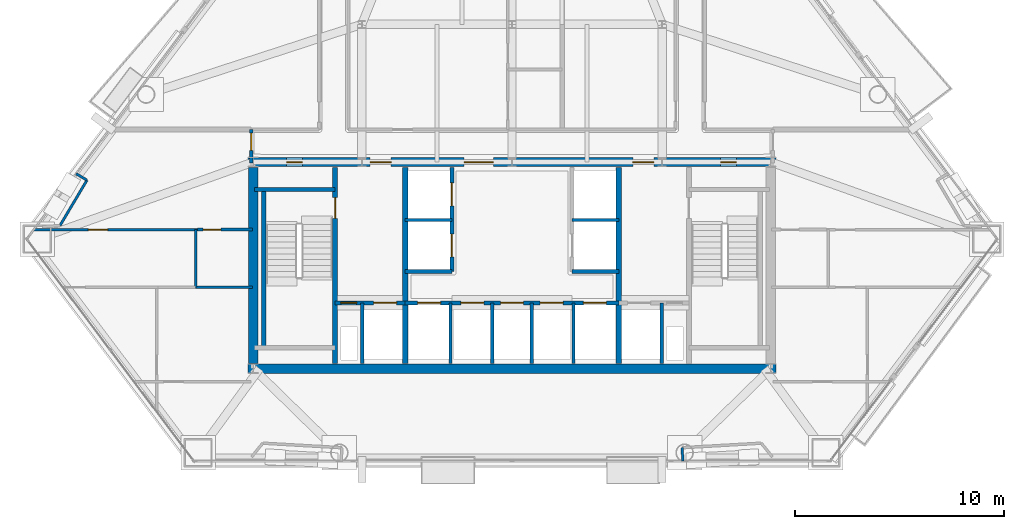
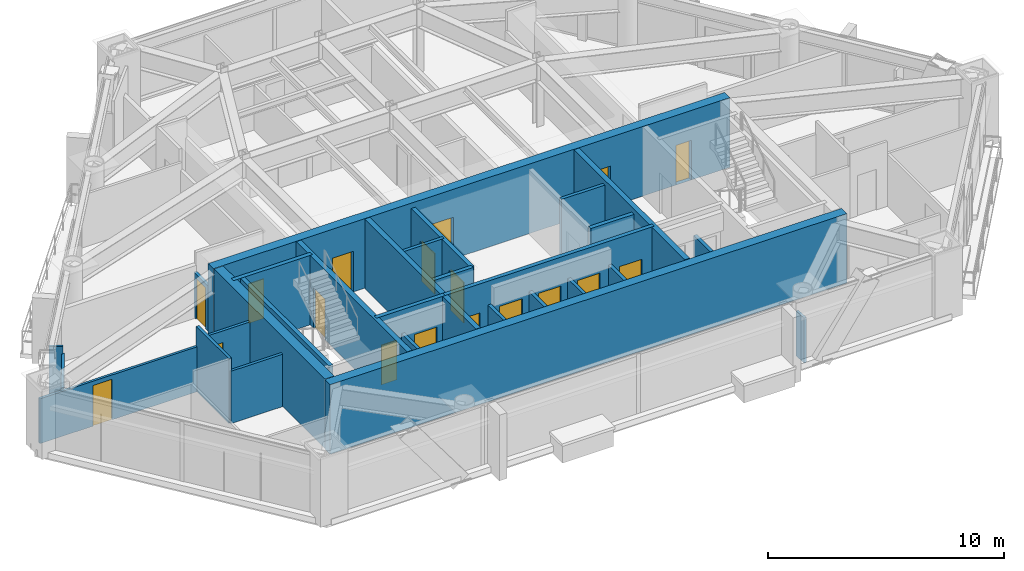
# One storey, part 6 of 10: 29 walls, 18 doors, 18 openings.
"""IFC4 building model written with IfcOpenShell, lengths in metres."""

from ifc_helpers import new_model, si_unit, direction, frame, frame_2d, origin, place, context, subcontext, project, spatial, rectangle, extrude, material, layer, layer_set, type_object, element, fill, save


model = new_model("IFC4")

# Units and contexts
model_context = context("Model", 3, precision=1e-05, world=origin(), true_north=direction((0.0, 1.0)))
body_context = subcontext(model_context, "Body", "Model", "MODEL_VIEW")
ifc_project = project(units=[si_unit("LENGTHUNIT", "METRE"), si_unit("AREAUNIT", "SQUARE_METRE"), si_unit("VOLUMEUNIT", "CUBIC_METRE"), si_unit("PLANEANGLEUNIT", "RADIAN"), si_unit("MASSUNIT", "GRAM", prefix="KILO")], contexts=[model_context])

# Site, building, storey
site_placement = place(None, origin())
site = spatial("IfcSite", under=ifc_project, at=site_placement, CompositionType="ELEMENT")
building_placement = place(site_placement, origin())
building = spatial("IfcBuilding", under=site, at=building_placement, Name="Talgorran Terracotta Tower", CompositionType="ELEMENT")
storey_placement = place(building_placement, frame((0.0, 0.0, 49.5)))
storey = spatial("IfcBuildingStorey", under=building, at=storey_placement, Name="L12", CompositionType="ELEMENT", Elevation=49.5)

# Walls
ifc_material_1 = material(Name="Concrete C50/60", Category="concrete")
ifc_layer_1 = layer(ifc_material_1, 0.199951171875, Name="WT_CORE_200")
ifc_layer_set_1 = layer_set([ifc_layer_1], Name="Concrete C50/60")
wall_type_1 = type_object("IfcWallType", Name="WT_CORE_200", PredefinedType="SOLIDWALL", material=ifc_layer_set_1)
wall_1_placement = place(storey_placement, frame((-12.35009765625, -5.52001953125, 0.0), z_axis=(0.0, 0.0, 1.0), x_axis=(1.0, 0.0, 0.0)))
element("IfcWall", 1, at=wall_1_placement, inside=storey, type_object=wall_type_1, Name="WL-L12-CW-ST1-N", PredefinedType="SOLIDWALL", context=body_context, shape_type="SweptSolid", body=[
    extrude(rectangle(XDim=3.8701171875, YDim=0.199951171875, at=frame_2d((1.93505859375, 0.0))), origin(), (0.0, 0.0, 1.0), 3.60009765625),
])
wall_2_placement = place(storey_placement, frame((-11.89990234375, -13.10009765625, 0.0), z_axis=(0.0, 0.0, 1.0), x_axis=(0.0, 1.0, 0.0)))
element("IfcWall", 2, at=wall_2_placement, inside=storey, type_object=wall_type_1, Name="WL-L12-CW-ST1-W", PredefinedType="SOLIDWALL", context=body_context, shape_type="SweptSolid", body=[
    extrude(rectangle(XDim=7.580078125, YDim=0.199951171875, at=frame_2d((3.7900390625, 0.0))), origin(), (0.0, 0.0, 1.0), 3.60009765625),
])

# Wall, openings, doors
wall_3_placement = place(storey_placement, frame((-8.47998046875, -10.949951171875, 0.0), z_axis=(0.0, 0.0, 1.0), x_axis=(1.0, 0.0, 0.0)))
wall_3 = element("IfcWall", 3, at=wall_3_placement, inside=storey, type_object=wall_type_1, Name="WL-L12-CW-H-SBW", PredefinedType="SOLIDWALL", context=body_context, shape_type="SweptSolid", body=[
    extrude(rectangle(XDim=3.35986328125, YDim=0.199951171875, at=frame_2d((1.679931640625, 0.0))), origin(), (0.0, 0.0, 1.0), 3.60009765625),
])
opening_1_placement = place(wall_3_placement, frame((0.280029296875, 0.0, 0.0)))
opening_1 = element("IfcOpeningElement", 4, at=opening_1_placement, cuts=wall_3, Name="Opening DR-RSW", PredefinedType="OPENING", context=body_context, shape_type="SweptSolid", body=[
    extrude(rectangle(XDim=0.756, YDim=2.054048828125, at=frame_2d((0.375, 1.027099609375))), frame((0.0, 0.10986328125, 0.0), z_axis=(0.0, -1.0, 0.0), x_axis=(1.0, 0.0, 0.0)), (0.0, 0.0, 1.0), 0.219970703125),
])
opening_2_placement = place(wall_3_placement, frame((1.85009765625, 0.0, 0.0)))
opening_2 = element("IfcOpeningElement", 5, at=opening_2_placement, cuts=wall_3, Name="Opening LD-FFL1", PredefinedType="OPENING", context=body_context, shape_type="SweptSolid", body=[
    extrude(rectangle(XDim=1.10609765625, YDim=2.10409765625, at=frame_2d((0.550048828125, 1.052001953125))), frame((0.0, 0.10986328125, 0.0), z_axis=(0.0, -1.0, 0.0), x_axis=(1.0, 0.0, 0.0)), (0.0, 0.0, 1.0), 0.219970703125),
])
ifc_material_2 = material(Name="Brushed Stainless Steel Grade 304", Category="steel")
door_type_1 = type_object("IfcDoorType", Name="DT_LIFT_LD1100", OperationType="DOUBLE_DOOR_SLIDING", PredefinedType="DOOR", material=ifc_material_2)
door_1_placement = place(opening_2_placement, origin())
door_1 = element("IfcDoor", 6, at=door_1_placement, inside=storey, type_object=door_type_1, Name="L12 Lift Landing Door LD-FFL1", OperationType="DOUBLE_DOOR_SLIDING", OverallHeight=2.10009765625, OverallWidth=1.10009765625, PredefinedType="DOOR", context=body_context, shape_type="SweptSolid", body=[
    extrude(rectangle(XDim=1.10009765625, YDim=2.10009765625, at=frame_2d((0.550048828125, 1.050048828125))), frame((0.0, 0.02490234375, 0.0), z_axis=(0.0, -1.0, 0.0), x_axis=(1.0, 0.0, 0.0)), (0.0, 0.0, 1.0), 0.050048828125),
])
fill(opening_2, door_1)
ifc_material_3 = material(Name="Fire-Rated Pressed Steel", Category="steel")
door_type_2 = type_object("IfcDoorType", Name="DT_RISER_750", OperationType="NOTDEFINED", PredefinedType="DOOR", material=ifc_material_3)
door_2_placement = place(opening_1_placement, origin())
door_2 = element("IfcDoor", 7, at=door_2_placement, inside=storey, type_object=door_type_2, Name="DR-RSW", OperationType="SINGLE_SWING_LEFT", OverallHeight=2.050048828125, OverallWidth=0.75, PredefinedType="DOOR", context=body_context, shape_type="SweptSolid", body=[
    extrude(rectangle(XDim=0.75, YDim=2.050048828125, at=frame_2d((0.375, 1.02490234375))), frame((0.0, 0.02490234375, 0.0), z_axis=(0.0, -1.0, 0.0), x_axis=(1.0, 0.0, 0.0)), (0.0, 0.0, 1.0), 0.050048828125),
])
fill(opening_1, door_2)

wall_4_placement = place(storey_placement, frame((-5.1201171875, -10.949951171875, 0.0), z_axis=(0.0, 0.0, 1.0), x_axis=(1.0, 0.0, 0.0)))
wall_4 = element("IfcWall", 8, at=wall_4_placement, inside=storey, type_object=wall_type_1, Name="WL-L12-CW-H-SBC", PredefinedType="SOLIDWALL", context=body_context, shape_type="SweptSolid", body=[
    extrude(rectangle(XDim=10.240234375, YDim=0.199951171875, at=frame_2d((5.1201171875, 0.0))), origin(), (0.0, 0.0, 1.0), 3.60009765625),
])
opening_3_placement = place(wall_4_placement, frame((0.60009765625, 0.0, 0.0)))
opening_3 = element("IfcOpeningElement", 9, at=opening_3_placement, cuts=wall_4, Name="Opening LD-OB1", PredefinedType="OPENING", context=body_context, shape_type="SweptSolid", body=[
    extrude(rectangle(XDim=1.10609765625, YDim=2.10409765625, at=frame_2d((0.550048828125, 1.052001953125))), frame((0.0, 0.10986328125, 0.0), z_axis=(0.0, -1.0, 0.0), x_axis=(1.0, 0.0, 0.0)), (0.0, 0.0, 1.0), 0.219970703125),
])
opening_4_placement = place(wall_4_placement, frame((2.669921875, 0.0, 0.0)))
opening_4 = element("IfcOpeningElement", 10, at=opening_4_placement, cuts=wall_4, Name="Opening LD-PLH1", PredefinedType="OPENING", context=body_context, shape_type="SweptSolid", body=[
    extrude(rectangle(XDim=1.10609765625, YDim=2.10409765625, at=frame_2d((0.550048828125, 1.052001953125))), frame((0.0, 0.10986328125, 0.0), z_axis=(0.0, -1.0, 0.0), x_axis=(1.0, 0.0, 0.0)), (0.0, 0.0, 1.0), 0.219970703125),
])
opening_5_placement = place(wall_4_placement, frame((4.570068359375, 0.0, 0.0)))
opening_5 = element("IfcOpeningElement", 11, at=opening_5_placement, cuts=wall_4, Name="Opening LD-PLH2", PredefinedType="OPENING", context=body_context, shape_type="SweptSolid", body=[
    extrude(rectangle(XDim=1.10609765625, YDim=2.10409765625, at=frame_2d((0.550048828125, 1.052001953125))), frame((0.0, 0.10986328125, 0.0), z_axis=(0.0, -1.0, 0.0), x_axis=(1.0, 0.0, 0.0)), (0.0, 0.0, 1.0), 0.219970703125),
])
opening_6_placement = place(wall_4_placement, frame((6.469970703125, 0.0, 0.0)))
opening_6 = element("IfcOpeningElement", 12, at=opening_6_placement, cuts=wall_4, Name="Opening LD-PLH3", PredefinedType="OPENING", context=body_context, shape_type="SweptSolid", body=[
    extrude(rectangle(XDim=1.10609765625, YDim=2.10409765625, at=frame_2d((0.550048828125, 1.052001953125))), frame((0.0, 0.10986328125, 0.0), z_axis=(0.0, -1.0, 0.0), x_axis=(1.0, 0.0, 0.0)), (0.0, 0.0, 1.0), 0.219970703125),
])
opening_7_placement = place(wall_4_placement, frame((8.5400390625, 0.0, 0.0)))
opening_7 = element("IfcOpeningElement", 13, at=opening_7_placement, cuts=wall_4, Name="Opening LD-SVL1", PredefinedType="OPENING", context=body_context, shape_type="SweptSolid", body=[
    extrude(rectangle(XDim=1.10609765625, YDim=2.10409765625, at=frame_2d((0.550048828125, 1.052001953125))), frame((0.0, 0.10986328125, 0.0), z_axis=(0.0, -1.0, 0.0), x_axis=(1.0, 0.0, 0.0)), (0.0, 0.0, 1.0), 0.219970703125),
])
door_3_placement = place(opening_3_placement, origin())
door_3 = element("IfcDoor", 14, at=door_3_placement, inside=storey, type_object=door_type_1, Name="L12 Lift Landing Door LD-OB1", OperationType="DOUBLE_DOOR_SLIDING", OverallHeight=2.10009765625, OverallWidth=1.10009765625, PredefinedType="DOOR", context=body_context, shape_type="SweptSolid", body=[
    extrude(rectangle(XDim=1.10009765625, YDim=2.10009765625, at=frame_2d((0.550048828125, 1.050048828125))), frame((0.0, 0.02490234375, 0.0), z_axis=(0.0, -1.0, 0.0), x_axis=(1.0, 0.0, 0.0)), (0.0, 0.0, 1.0), 0.050048828125),
])
fill(opening_3, door_3)
door_4_placement = place(opening_4_placement, origin())
door_4 = element("IfcDoor", 15, at=door_4_placement, inside=storey, type_object=door_type_1, Name="L12 Lift Landing Door LD-PLH1", OperationType="DOUBLE_DOOR_SLIDING", OverallHeight=2.10009765625, OverallWidth=1.10009765625, PredefinedType="DOOR", context=body_context, shape_type="SweptSolid", body=[
    extrude(rectangle(XDim=1.10009765625, YDim=2.10009765625, at=frame_2d((0.550048828125, 1.050048828125))), frame((0.0, 0.02490234375, 0.0), z_axis=(0.0, -1.0, 0.0), x_axis=(1.0, 0.0, 0.0)), (0.0, 0.0, 1.0), 0.050048828125),
])
fill(opening_4, door_4)
door_5_placement = place(opening_5_placement, origin())
door_5 = element("IfcDoor", 16, at=door_5_placement, inside=storey, type_object=door_type_1, Name="L12 Lift Landing Door LD-PLH2", OperationType="DOUBLE_DOOR_SLIDING", OverallHeight=2.10009765625, OverallWidth=1.10009765625, PredefinedType="DOOR", context=body_context, shape_type="SweptSolid", body=[
    extrude(rectangle(XDim=1.10009765625, YDim=2.10009765625, at=frame_2d((0.550048828125, 1.050048828125))), frame((0.0, 0.02490234375, 0.0), z_axis=(0.0, -1.0, 0.0), x_axis=(1.0, 0.0, 0.0)), (0.0, 0.0, 1.0), 0.050048828125),
])
fill(opening_5, door_5)
door_6_placement = place(opening_6_placement, origin())
door_6 = element("IfcDoor", 17, at=door_6_placement, inside=storey, type_object=door_type_1, Name="L12 Lift Landing Door LD-PLH3", OperationType="DOUBLE_DOOR_SLIDING", OverallHeight=2.10009765625, OverallWidth=1.10009765625, PredefinedType="DOOR", context=body_context, shape_type="SweptSolid", body=[
    extrude(rectangle(XDim=1.10009765625, YDim=2.10009765625, at=frame_2d((0.550048828125, 1.050048828125))), frame((0.0, 0.02490234375, 0.0), z_axis=(0.0, -1.0, 0.0), x_axis=(1.0, 0.0, 0.0)), (0.0, 0.0, 1.0), 0.050048828125),
])
fill(opening_6, door_6)
door_7_placement = place(opening_7_placement, origin())
door_7 = element("IfcDoor", 18, at=door_7_placement, inside=storey, type_object=door_type_1, Name="L12 Lift Landing Door LD-SVL1", OperationType="DOUBLE_DOOR_SLIDING", OverallHeight=2.10009765625, OverallWidth=1.10009765625, PredefinedType="DOOR", context=body_context, shape_type="SweptSolid", body=[
    extrude(rectangle(XDim=1.10009765625, YDim=2.10009765625, at=frame_2d((0.550048828125, 1.050048828125))), frame((0.0, 0.02490234375, 0.0), z_axis=(0.0, -1.0, 0.0), x_axis=(1.0, 0.0, 0.0)), (0.0, 0.0, 1.0), 0.050048828125),
])
fill(opening_7, door_7)

wall_5_placement = place(storey_placement, frame((-2.8798828125, -9.449951171875, 0.0), z_axis=(0.0, 0.0, 1.0), x_axis=(0.0, 1.0, 0.0)))
wall_5 = element("IfcWall", 19, at=wall_5_placement, inside=storey, type_object=wall_type_1, Name="WL-L12-CW-V-W3", PredefinedType="SOLIDWALL", context=body_context, shape_type="SweptSolid", body=[
    extrude(rectangle(XDim=5.0, YDim=0.199951171875, at=frame_2d((2.5, 0.0))), origin(), (0.0, 0.0, 1.0), 3.35009765625),
])
opening_8_placement = place(wall_5_placement, frame((0.699951171875, 0.0, 0.0)))
opening_8 = element("IfcOpeningElement", 20, at=opening_8_placement, cuts=wall_5, Name="Opening LD-PLL1", PredefinedType="OPENING", context=body_context, shape_type="SweptSolid", body=[
    extrude(rectangle(XDim=1.10609765625, YDim=2.10409765625, at=frame_2d((0.550048828125, 1.052001953125))), frame((0.0, 0.10986328125, 0.0), z_axis=(0.0, -1.0, 0.0), x_axis=(1.0, 0.0, 0.0)), (0.0, 0.0, 1.0), 0.219970703125),
])
opening_9_placement = place(wall_5_placement, frame((3.14990234375, 0.0, 0.0)))
opening_9 = element("IfcOpeningElement", 21, at=opening_9_placement, cuts=wall_5, Name="Opening LD-PLL2", PredefinedType="OPENING", context=body_context, shape_type="SweptSolid", body=[
    extrude(rectangle(XDim=1.10609765625, YDim=2.10409765625, at=frame_2d((0.550048828125, 1.052001953125))), frame((0.0, 0.10986328125, 0.0), z_axis=(0.0, -1.0, 0.0), x_axis=(1.0, 0.0, 0.0)), (0.0, 0.0, 1.0), 0.219970703125),
])
door_8_placement = place(opening_8_placement, origin())
door_8 = element("IfcDoor", 22, at=door_8_placement, inside=storey, type_object=door_type_1, Name="L12 Lift Landing Door LD-PLL1", OperationType="DOUBLE_DOOR_SLIDING", OverallHeight=2.10009765625, OverallWidth=1.10009765625, PredefinedType="DOOR", context=body_context, shape_type="SweptSolid", body=[
    extrude(rectangle(XDim=1.10009765625, YDim=2.10009765625, at=frame_2d((0.550048828125, 1.050048828125))), frame((0.0, 0.02490234375, 0.0), z_axis=(0.0, -1.0, 0.0), x_axis=(1.0, 0.0, 0.0)), (0.0, 0.0, 1.0), 0.050048828125),
])
fill(opening_8, door_8)
door_9_placement = place(opening_9_placement, origin())
door_9 = element("IfcDoor", 23, at=door_9_placement, inside=storey, type_object=door_type_1, Name="L12 Lift Landing Door LD-PLL2", OperationType="DOUBLE_DOOR_SLIDING", OverallHeight=2.10009765625, OverallWidth=1.10009765625, PredefinedType="DOOR", context=body_context, shape_type="SweptSolid", body=[
    extrude(rectangle(XDim=1.10009765625, YDim=2.10009765625, at=frame_2d((0.550048828125, 1.050048828125))), frame((0.0, 0.02490234375, 0.0), z_axis=(0.0, -1.0, 0.0), x_axis=(1.0, 0.0, 0.0)), (0.0, 0.0, 1.0), 0.050048828125),
])
fill(opening_9, door_9)

# Walls
for number, where, z_axis, x_axis, name in (
    (24, (-5.1201171875, -9.449951171875, 0.0), (0.0, 0.0, 1.0), (1.0, 0.0, 0.0), "WL-L12-CW-H-W4"),
    (25, (2.8798828125, -9.449951171875, 0.0), (0.0, 0.0, 1.0), (1.0, 0.0, 0.0), "WL-L12-CW-H-E4"),
):
    element("IfcWall", number, at=place(storey_placement, frame(where, z_axis=z_axis, x_axis=x_axis)), inside=storey, type_object=wall_type_1, Name=name, PredefinedType="SOLIDWALL", context=body_context, shape_type="SweptSolid", body=[
        extrude(rectangle(XDim=2.240234375, YDim=0.199951171875, at=frame_2d((1.1201171875, 0.0))), origin(), (0.0, 0.0, 1.0), 3.35009765625),
    ])

# Wall, opening, door
ifc_layer_2 = layer(ifc_material_1, 0.25, Name="WT_CORE_250")
ifc_layer_set_2 = layer_set([ifc_layer_2], Name="Concrete C50/60")
wall_type_2 = type_object("IfcWallType", Name="WT_CORE_250", PredefinedType="SHEAR", material=ifc_layer_set_2)
wall_6_placement = place(storey_placement, frame((-8.47998046875, -13.85009765625, 0.0), z_axis=(0.0, 0.0, 1.0), x_axis=(0.0, 1.0, 0.0)))
wall_6 = element("IfcWall", 26, at=wall_6_placement, inside=storey, type_object=wall_type_2, Name="WL-L12-CW-V-W1", PredefinedType="SHEAR", context=body_context, shape_type="SweptSolid", body=[
    extrude(rectangle(XDim=9.400146484375, YDim=0.25, at=frame_2d((4.7001953125, 0.0))), origin(), (0.0, 0.0, 1.0), 3.60009765625),
])
opening_10_placement = place(wall_6_placement, frame((6.949951171875, 0.0, 0.0)))
opening_10 = element("IfcOpeningElement", 27, at=opening_10_placement, cuts=wall_6, Name="Opening DR-ST01", PredefinedType="OPENING", context=body_context, shape_type="SweptSolid", body=[
    extrude(rectangle(XDim=1.006, YDim=2.10409765625, at=frame_2d((0.5, 1.052001953125))), frame((0.0, 0.135009765625, 0.0), z_axis=(0.0, -1.0, 0.0), x_axis=(1.0, 0.0, 0.0)), (0.0, 0.0, 1.0), 0.27001953125),
])
door_type_3 = type_object("IfcDoorType", Name="DT_FIRE_1000", OperationType="NOTDEFINED", PredefinedType="DOOR", material=ifc_material_3)
door_10_placement = place(opening_10_placement, origin())
door_10 = element("IfcDoor", 28, at=door_10_placement, inside=storey, type_object=door_type_3, Name="DR-ST01", OperationType="SINGLE_SWING_LEFT", OverallHeight=2.10009765625, OverallWidth=1.0, PredefinedType="DOOR", context=body_context, shape_type="SweptSolid", body=[
    extrude(rectangle(XDim=1.0, YDim=2.10009765625, at=frame_2d((0.5, 1.050048828125))), frame((0.0, 0.02490234375, 0.0), z_axis=(0.0, -1.0, 0.0), x_axis=(1.0, 0.0, 0.0)), (0.0, 0.0, 1.0), 0.050048828125),
])
fill(opening_10, door_10)

# Walls
for number, where, z_axis, x_axis, name in (
    (29, (-5.1201171875, -13.85009765625, 0.0), (0.0, 0.0, 1.0), (0.0, 1.0, 0.0), "WL-L12-CW-V-W2"),
    (30, (5.1201171875, -13.85009765625, 0.0), (0.0, 0.0, 1.0), (0.0, 1.0, 0.0), "WL-L12-CW-V-E2"),
):
    element("IfcWall", number, at=place(storey_placement, frame(where, z_axis=z_axis, x_axis=x_axis)), inside=storey, type_object=wall_type_2, Name=name, PredefinedType="SHEAR", context=body_context, shape_type="SweptSolid", body=[
        extrude(rectangle(XDim=9.400146484375, YDim=0.25, at=frame_2d((4.7001953125, 0.0))), origin(), (0.0, 0.0, 1.0), 3.60009765625),
    ])
ifc_material_4 = material(Name="Concrete C65/80", Category="concrete")
ifc_layer_3 = layer(ifc_material_4, 0.449951171875, Name="WT_CORE_EXT")
ifc_layer_set_3 = layer_set([ifc_layer_3], Name="Concrete C65/80")
wall_type_3 = type_object("IfcWallType", Name="WT_CORE_EXT", PredefinedType="SHEAR", material=ifc_layer_set_3)
wall_7_placement = place(storey_placement, frame((-12.64990234375, -14.10009765625, 0.0), z_axis=(0.0, 0.0, 1.0), x_axis=(1.0, 0.0, 0.0)))
element("IfcWall", 31, at=wall_7_placement, inside=storey, type_object=wall_type_3, Name="WL-L12-CW-OUT-S", PredefinedType="SHEAR", context=body_context, shape_type="SweptSolid", body=[
    extrude(rectangle(XDim=25.2998046875, YDim=0.449951171875, at=frame_2d((12.64990234375, 0.0))), origin(), (0.0, 0.0, 1.0), 3.60009765625),
])

# Wall, openings, doors
wall_8_placement = place(storey_placement, frame((-12.64990234375, -4.199951171875, 0.0), z_axis=(0.0, 0.0, 1.0), x_axis=(1.0, 0.0, 0.0)))
wall_8 = element("IfcWall", 32, at=wall_8_placement, inside=storey, type_object=wall_type_3, Name="WL-L12-CW-OUT-N", PredefinedType="SHEAR", context=body_context, shape_type="SweptSolid", body=[
    extrude(rectangle(XDim=25.2998046875, YDim=0.449951171875, at=frame_2d((12.64990234375, 0.0))), origin(), (0.0, 0.0, 1.0), 3.60009765625),
])
opening_11_placement = place(wall_8_placement, frame((1.85009765625, 0.0, 0.0)))
opening_11 = element("IfcOpeningElement", 33, at=opening_11_placement, cuts=wall_8, Name="Opening DR-CSN1", PredefinedType="OPENING", context=body_context, shape_type="SweptSolid", body=[
    extrude(rectangle(XDim=0.756, YDim=2.054048828125, at=frame_2d((0.375, 1.027099609375))), frame((0.0, 0.23486328125, 0.0), z_axis=(0.0, -1.0, 0.0), x_axis=(1.0, 0.0, 0.0)), (0.0, 0.0, 1.0), 0.469970703125),
])
opening_12_placement = place(wall_8_placement, frame((22.64990234375, 0.0, 0.0)))
opening_12 = element("IfcOpeningElement", 34, at=opening_12_placement, cuts=wall_8, Name="Opening DR-CSN2", PredefinedType="OPENING", context=body_context, shape_type="SweptSolid", body=[
    extrude(rectangle(XDim=0.756, YDim=2.054048828125, at=frame_2d((0.375, 1.027099609375))), frame((0.0, 0.23486328125, 0.0), z_axis=(0.0, -1.0, 0.0), x_axis=(1.0, 0.0, 0.0)), (0.0, 0.0, 1.0), 0.469970703125),
])
opening_13_placement = place(wall_8_placement, frame((5.85009765625, 0.0, 0.0)))
opening_13 = element("IfcOpeningElement", 35, at=opening_13_placement, cuts=wall_8, Name="Opening DR-FFLW-N", PredefinedType="OPENING", context=body_context, shape_type="SweptSolid", body=[
    extrude(rectangle(XDim=1.006, YDim=2.10409765625, at=frame_2d((0.5, 1.052001953125))), frame((0.0, 0.23486328125, 0.0), z_axis=(0.0, -1.0, 0.0), x_axis=(1.0, 0.0, 0.0)), (0.0, 0.0, 1.0), 0.469970703125),
])
opening_14_placement = place(wall_8_placement, frame((10.35009765625, 0.0, 0.0)))
opening_14 = element("IfcOpeningElement", 36, at=opening_14_placement, cuts=wall_8, Name="Opening DR-PLL-N", PredefinedType="OPENING", context=body_context, shape_type="SweptSolid", body=[
    extrude(rectangle(XDim=1.40590234375, YDim=2.15390234375, at=frame_2d((0.699951171875, 1.076904296875))), frame((0.0, 0.23486328125, 0.0), z_axis=(0.0, -1.0, 0.0), x_axis=(1.0, 0.0, 0.0)), (0.0, 0.0, 1.0), 0.469970703125),
])
opening_15_placement = place(wall_8_placement, frame((18.449951171875, 0.0, 0.0)))
opening_15 = element("IfcOpeningElement", 37, at=opening_15_placement, cuts=wall_8, Name="Opening DR-FFLE-N", PredefinedType="OPENING", context=body_context, shape_type="SweptSolid", body=[
    extrude(rectangle(XDim=1.006, YDim=2.10409765625, at=frame_2d((0.5, 1.052001953125))), frame((0.0, 0.23486328125, 0.0), z_axis=(0.0, -1.0, 0.0), x_axis=(1.0, 0.0, 0.0)), (0.0, 0.0, 1.0), 0.469970703125),
])
ifc_material_5 = material(Name="Acoustic Glazed Timber", Category="wood")
door_type_4 = type_object("IfcDoorType", Name="DT_DOUBLE_1400", OperationType="DOUBLE_DOOR_SINGLE_SWING", PredefinedType="DOOR", material=ifc_material_5)
door_11_placement = place(opening_14_placement, origin())
door_11 = element("IfcDoor", 38, at=door_11_placement, inside=storey, type_object=door_type_4, Name="DR-PLL-N", OperationType="DOUBLE_DOOR_SINGLE_SWING", OverallHeight=2.14990234375, OverallWidth=1.39990234375, PredefinedType="DOOR", context=body_context, shape_type="SweptSolid", body=[
    extrude(rectangle(XDim=1.39990234375, YDim=2.14990234375, at=frame_2d((0.699951171875, 1.074951171875))), frame((0.0, 0.02490234375, 0.0), z_axis=(0.0, -1.0, 0.0), x_axis=(1.0, 0.0, 0.0)), (0.0, 0.0, 1.0), 0.050048828125),
])
fill(opening_14, door_11)
door_12_placement = place(opening_13_placement, origin())
door_12 = element("IfcDoor", 39, at=door_12_placement, inside=storey, type_object=door_type_3, Name="DR-FFLW-N", OperationType="SINGLE_SWING_LEFT", OverallHeight=2.10009765625, OverallWidth=1.0, PredefinedType="DOOR", context=body_context, shape_type="SweptSolid", body=[
    extrude(rectangle(XDim=1.0, YDim=2.10009765625, at=frame_2d((0.5, 1.050048828125))), frame((0.0, 0.02490234375, 0.0), z_axis=(0.0, -1.0, 0.0), x_axis=(1.0, 0.0, 0.0)), (0.0, 0.0, 1.0), 0.050048828125),
])
fill(opening_13, door_12)
door_13_placement = place(opening_15_placement, origin())
door_13 = element("IfcDoor", 40, at=door_13_placement, inside=storey, type_object=door_type_3, Name="DR-FFLE-N", OperationType="SINGLE_SWING_RIGHT", OverallHeight=2.10009765625, OverallWidth=1.0, PredefinedType="DOOR", context=body_context, shape_type="SweptSolid", body=[
    extrude(rectangle(XDim=1.0, YDim=2.10009765625, at=frame_2d((0.5, 1.050048828125))), frame((0.0, 0.02490234375, 0.0), z_axis=(0.0, -1.0, 0.0), x_axis=(1.0, 0.0, 0.0)), (0.0, 0.0, 1.0), 0.050048828125),
])
fill(opening_15, door_13)
door_14_placement = place(opening_11_placement, origin())
door_14 = element("IfcDoor", 41, at=door_14_placement, inside=storey, type_object=door_type_2, Name="DR-CSN1", OperationType="SINGLE_SWING_LEFT", OverallHeight=2.050048828125, OverallWidth=0.75, PredefinedType="DOOR", context=body_context, shape_type="SweptSolid", body=[
    extrude(rectangle(XDim=0.75, YDim=2.050048828125, at=frame_2d((0.375, 1.02490234375))), frame((0.0, 0.02490234375, 0.0), z_axis=(0.0, -1.0, 0.0), x_axis=(1.0, 0.0, 0.0)), (0.0, 0.0, 1.0), 0.050048828125),
])
fill(opening_11, door_14)
door_15_placement = place(opening_12_placement, origin())
door_15 = element("IfcDoor", 42, at=door_15_placement, inside=storey, type_object=door_type_2, Name="DR-CSN2", OperationType="SINGLE_SWING_RIGHT", OverallHeight=2.050048828125, OverallWidth=0.75, PredefinedType="DOOR", context=body_context, shape_type="SweptSolid", body=[
    extrude(rectangle(XDim=0.75, YDim=2.050048828125, at=frame_2d((0.375, 1.02490234375))), frame((0.0, 0.02490234375, 0.0), z_axis=(0.0, -1.0, 0.0), x_axis=(1.0, 0.0, 0.0)), (0.0, 0.0, 1.0), 0.050048828125),
])
fill(opening_12, door_15)

# Wall
wall_9_placement = place(storey_placement, frame((-12.39990234375, -13.85009765625, 0.0), z_axis=(0.0, 0.0, 1.0), x_axis=(0.0, 1.0, 0.0)))
element("IfcWall", 43, at=wall_9_placement, inside=storey, type_object=wall_type_3, Name="WL-L12-CW-OUT-W", PredefinedType="SHEAR", context=body_context, shape_type="SweptSolid", body=[
    extrude(rectangle(XDim=9.400146484375, YDim=0.449951171875, at=frame_2d((4.7001953125, 0.0))), origin(), (0.0, 0.0, 1.0), 3.60009765625),
])

# Wall, opening, door
ifc_material_6 = material(Name="Fire-Rated Steel Stud Plasterboard", Category="steel")
ifc_layer_4 = layer(ifc_material_6, 0.14990234375, Name="WT_FIRE_150")
ifc_layer_set_4 = layer_set([ifc_layer_4], Name="Fire-Rated Steel Stud Plasterboard")
wall_type_4 = type_object("IfcWallType", Name="WT_FIRE_150", PredefinedType="PARTITIONING", material=ifc_layer_set_4)
wall_10_placement = place(storey_placement, frame((-12.5, -4.239990234375, 0.0), z_axis=(0.0, 0.0, 1.0), x_axis=(0.0, 1.0, 0.0)))
wall_10 = element("IfcWall", 44, at=wall_10_placement, inside=storey, type_object=wall_type_4, Name="WL-L12-W-L12-R01", PredefinedType="PARTITIONING", context=body_context, shape_type="SweptSolid", body=[
    extrude(rectangle(XDim=1.60009765625, YDim=0.14990234375, at=frame_2d((0.800048828125, 0.0))), origin(), (0.0, 0.0, 1.0), 2.324951171875),
])
opening_16_placement = place(wall_10_placement, frame((0.602294921875, 0.0, 0.0)))
opening_16 = element("IfcOpeningElement", 45, at=opening_16_placement, cuts=wall_10, Name="Opening DR-L12-R01", PredefinedType="OPENING", context=body_context, shape_type="SweptSolid", body=[
    extrude(rectangle(XDim=0.826068359375, YDim=2.10409765625, at=frame_2d((0.41015625, 1.052001953125))), frame((0.0, 0.0849609375, 0.0), z_axis=(0.0, -1.0, 0.0), x_axis=(1.0, 0.0, 0.0)), (0.0, 0.0, 1.0), 0.169921875),
])
ifc_material_7 = material(Name="Moisture-Resistant Solid Timber", Category="wood")
door_type_5 = type_object("IfcDoorType", Name="DT_INT_820", OperationType="NOTDEFINED", PredefinedType="DOOR", material=ifc_material_7)
door_16_placement = place(opening_16_placement, origin())
door_16 = element("IfcDoor", 46, at=door_16_placement, inside=storey, type_object=door_type_5, Name="DR-L12-R01", OperationType="SINGLE_SWING_LEFT", OverallHeight=2.10009765625, OverallWidth=0.820068359375, PredefinedType="DOOR", context=body_context, shape_type="SweptSolid", body=[
    extrude(rectangle(XDim=0.820068359375, YDim=2.10009765625, at=frame_2d((0.41015625, 1.050048828125))), frame((0.0, 0.02490234375, 0.0), z_axis=(0.0, -1.0, 0.0), x_axis=(1.0, 0.0, 0.0)), (0.0, 0.0, 1.0), 0.050048828125),
])
fill(opening_16, door_16)

ifc_material_8 = material(Name="Insulated Steel Stud Plasterboard", Category="steel")
ifc_layer_5 = layer(ifc_material_8, 0.1201171875, Name="WT_PART_120")
ifc_layer_set_5 = layer_set([ifc_layer_5], Name="Insulated Steel Stud Plasterboard")
wall_type_5 = type_object("IfcWallType", Name="WT_PART_120", PredefinedType="PARTITIONING", material=ifc_layer_set_5)
wall_11_placement = place(storey_placement, frame((-22.919189453125, -7.43994140625, 0.0), z_axis=(0.0, 0.0, 1.0), x_axis=(1.0, 0.0, 0.0)))
wall_11 = element("IfcWall", 47, at=wall_11_placement, inside=storey, type_object=wall_type_5, Name="WL-L12-W-L12-R19", PredefinedType="PARTITIONING", context=body_context, shape_type="SweptSolid", body=[
    extrude(rectangle(XDim=7.839111328125, YDim=0.1201171875, at=frame_2d((3.91943359375, 0.0))), origin(), (0.0, 0.0, 1.0), 2.324951171875),
])
opening_17_placement = place(wall_11_placement, frame((2.6123046875, 0.0, 0.0)))
opening_17 = element("IfcOpeningElement", 48, at=opening_17_placement, cuts=wall_11, Name="Opening DR-L12-R03", PredefinedType="OPENING", context=body_context, shape_type="SweptSolid", body=[
    extrude(rectangle(XDim=0.925921875, YDim=2.10409765625, at=frame_2d((0.4599609375, 1.052001953125))), frame((0.0, 0.070068359375, 0.0), z_axis=(0.0, -1.0, 0.0), x_axis=(1.0, 0.0, 0.0)), (0.0, 0.0, 1.0), 0.14013671875),
])
ifc_material_9 = material(Name="Solid-Core Painted Timber", Category="wood")
door_type_6 = type_object("IfcDoorType", Name="DT_INT_920", OperationType="NOTDEFINED", PredefinedType="DOOR", material=ifc_material_9)
door_17_placement = place(opening_17_placement, origin())
door_17 = element("IfcDoor", 49, at=door_17_placement, inside=storey, type_object=door_type_6, Name="DR-L12-R03", OperationType="SINGLE_SWING_LEFT", OverallHeight=2.10009765625, OverallWidth=0.919921875, PredefinedType="DOOR", context=body_context, shape_type="SweptSolid", body=[
    extrude(rectangle(XDim=0.919921875, YDim=2.10009765625, at=frame_2d((0.4599609375, 1.050048828125))), frame((0.0, 0.02490234375, 0.0), z_axis=(0.0, -1.0, 0.0), x_axis=(1.0, 0.0, 0.0)), (0.0, 0.0, 1.0), 0.050048828125),
])
fill(opening_17, door_17)

# Walls
wall_12_placement = place(storey_placement, frame((-20.373779296875, -5.069091796875, 0.0), z_axis=(0.0, 0.0, 1.0), x_axis=(-0.511270035884, -0.859420124507, 0.0)))
element("IfcWall", 50, at=wall_12_placement, inside=storey, type_object=wall_type_5, Name="WL-L12-BW-L12-08", PredefinedType="PARTITIONING", context=body_context, shape_type="SweptSolid", body=[
    extrude(rectangle(XDim=2.529296875, YDim=0.1201171875, at=frame_2d((1.2646484375, 0.0))), origin(), (0.0, 0.0, 1.0), 2.324951171875),
])
wall_13_placement = place(storey_placement, frame((8.190185546875, -18.525634765625, 0.0), z_axis=(0.0, 0.0, 1.0), x_axis=(-0.057049790539, 0.998371334424, 0.0)))
element("IfcWall", 51, at=wall_13_placement, inside=storey, type_object=wall_type_5, Name="WL-L12-BW-L12-05", PredefinedType="PARTITIONING", context=body_context, shape_type="SweptSolid", body=[
    extrude(rectangle(XDim=0.63330078125, YDim=0.1201171875, at=frame_2d((0.316650390625, 0.0))), origin(), (0.0, 0.0, 1.0), 2.324951171875),
])
wall_14_placement = place(storey_placement, frame((-20.8896484375, -4.76220703125, 0.0), z_axis=(0.0, 0.0, 1.0), x_axis=(0.859424801122, -0.511262174638, 0.0)))
element("IfcWall", 52, at=wall_14_placement, inside=storey, type_object=wall_type_5, Name="WL-L12-BW-L12-07", PredefinedType="PARTITIONING", context=body_context, shape_type="SweptSolid", body=[
    extrude(rectangle(XDim=0.600341796875, YDim=0.1201171875, at=frame_2d((0.30029296875, 0.0))), origin(), (0.0, 0.0, 1.0), 2.71337890625),
])

# Wall, opening, door
ifc_material_10 = material(Name="Moisture-Resistant Stud Wall")
ifc_layer_6 = layer(ifc_material_10, 0.135009765625, Name="WT_PART_135")
ifc_layer_set_6 = layer_set([ifc_layer_6], Name="Moisture-Resistant Stud Wall")
wall_type_6 = type_object("IfcWallType", Name="WT_PART_135", PredefinedType="PARTITIONING", material=ifc_layer_set_6)
wall_15_placement = place(storey_placement, frame((-15.077880859375, -7.43994140625, 0.0), z_axis=(0.0, 0.0, 1.0), x_axis=(1.0, 0.0, 0.0)))
wall_15 = element("IfcWall", 53, at=wall_15_placement, inside=storey, type_object=wall_type_6, Name="WL-L12-W-L12-R18", PredefinedType="PARTITIONING", context=body_context, shape_type="SweptSolid", body=[
    extrude(rectangle(XDim=2.637939453125, YDim=0.135009765625, at=frame_2d((1.31884765625, 0.0))), origin(), (0.0, 0.0, 1.0), 2.71337890625),
])
opening_18_placement = place(wall_15_placement, frame((0.272216796875, 0.0, 0.0)))
opening_18 = element("IfcOpeningElement", 54, at=opening_18_placement, cuts=wall_15, Name="Opening DR-L12-R02", PredefinedType="OPENING", context=body_context, shape_type="SweptSolid", body=[
    extrude(rectangle(XDim=0.85609765625, YDim=2.10409765625, at=frame_2d((0.425048828125, 1.052001953125))), frame((0.0, 0.07763671875, 0.0), z_axis=(0.0, -1.0, 0.0), x_axis=(1.0, 0.0, 0.0)), (0.0, 0.0, 1.0), 0.155029296875),
])
door_type_7 = type_object("IfcDoorType", Name="DT_INT_850", OperationType="NOTDEFINED", PredefinedType="DOOR", material=ifc_material_7)
door_18_placement = place(opening_18_placement, origin())
door_18 = element("IfcDoor", 55, at=door_18_placement, inside=storey, type_object=door_type_7, Name="DR-L12-R02", OperationType="SINGLE_SWING_RIGHT", OverallHeight=2.10009765625, OverallWidth=0.85009765625, PredefinedType="DOOR", context=body_context, shape_type="SweptSolid", body=[
    extrude(rectangle(XDim=0.85009765625, YDim=2.10009765625, at=frame_2d((0.425048828125, 1.050048828125))), frame((0.0, 0.02490234375, 0.0), z_axis=(0.0, -1.0, 0.0), x_axis=(1.0, 0.0, 0.0)), (0.0, 0.0, 1.0), 0.050048828125),
])
fill(opening_18, door_18)

# Walls
wall_16_placement = place(storey_placement, frame((-15.159912109375, -10.199951171875, 0.0), z_axis=(0.0, 0.0, 1.0), x_axis=(0.0, 1.0, 0.0)))
element("IfcWall", 56, at=wall_16_placement, inside=storey, type_object=wall_type_6, Name="WL-L12-W-L12-R21", PredefinedType="PARTITIONING", context=body_context, shape_type="SweptSolid", body=[
    extrude(rectangle(XDim=2.760009765625, YDim=0.135009765625, at=frame_2d((1.3798828125, 0.0))), origin(), (0.0, 0.0, 1.0), 3.35009765625),
])
wall_17_placement = place(storey_placement, frame((-15.159912109375, -10.199951171875, 0.0), z_axis=(0.0, 0.0, 1.0), x_axis=(1.0, 0.0, 0.0)))
element("IfcWall", 57, at=wall_17_placement, inside=storey, type_object=wall_type_6, Name="WL-L12-W-L12-R22", PredefinedType="PARTITIONING", context=body_context, shape_type="SweptSolid", body=[
    extrude(rectangle(XDim=2.719970703125, YDim=0.135009765625, at=frame_2d((1.35986328125, 0.0))), origin(), (0.0, 0.0, 1.0), 2.71337890625),
])
ifc_material_11 = material(Name="Fire-Rated Shaftwall")
ifc_layer_7 = layer(ifc_material_11, 0.159912109375, Name="WT_PART_150")
ifc_layer_set_7 = layer_set([ifc_layer_7], Name="Fire-Rated Shaftwall")
wall_type_7 = type_object("IfcWallType", Name="WT_PART_150", PredefinedType="PARTITIONING", material=ifc_layer_set_7)
for number, where, z_axis, x_axis, name in (
    (58, (-5.1201171875, -6.97998046875, 0.0), (0.0, 0.0, 1.0), (1.0, 0.0, 0.0), "WL-L12-CW-PLL-DIV"),
    (59, (2.8798828125, -6.97998046875, 0.0), (0.0, 0.0, 1.0), (1.0, 0.0, 0.0), "WL-L12-CW-PLM-DIV"),
):
    element("IfcWall", number, at=place(storey_placement, frame(where, z_axis=z_axis, x_axis=x_axis)), inside=storey, type_object=wall_type_7, Name=name, PredefinedType="PARTITIONING", context=body_context, shape_type="SweptSolid", body=[
        extrude(rectangle(XDim=2.240234375, YDim=0.159912109375, at=frame_2d((1.1201171875, 0.0))), origin(), (0.0, 0.0, 1.0), 3.35009765625),
    ])
for number, where, z_axis, x_axis, name in (
    (60, (-7.179931640625, -13.85009765625, 0.0), (0.0, 0.0, 1.0), (0.0, 1.0, 0.0), "WL-L12-CW-RSW"),
    (61, (7.179931640625, -13.85009765625, 0.0), (0.0, 0.0, 1.0), (0.0, 1.0, 0.0), "WL-L12-CW-RSE"),
    (62, (-2.949951171875, -13.85009765625, 0.0), (0.0, 0.0, 1.0), (0.0, 1.0, 0.0), "WL-L12-CW-OB-E"),
    (63, (2.949951171875, -13.85009765625, 0.0), (0.0, 0.0, 1.0), (0.0, 1.0, 0.0), "WL-L12-CW-SV-W"),
    (64, (-0.949951171875, -13.85009765625, 0.0), (0.0, 0.0, 1.0), (0.0, 1.0, 0.0), "WL-L12-CW-PLH-D1"),
    (65, (0.949951171875, -13.85009765625, 0.0), (0.0, 0.0, 1.0), (0.0, 1.0, 0.0), "WL-L12-CW-PLH-D2"),
):
    element("IfcWall", number, at=place(storey_placement, frame(where, z_axis=z_axis, x_axis=x_axis)), inside=storey, type_object=wall_type_7, Name=name, PredefinedType="PARTITIONING", context=body_context, shape_type="SweptSolid", body=[
        extrude(rectangle(XDim=2.900146484375, YDim=0.159912109375, at=frame_2d((1.4501953125, 0.0))), origin(), (0.0, 0.0, 1.0), 2.375),
    ])

save(model, "model.ifc")
